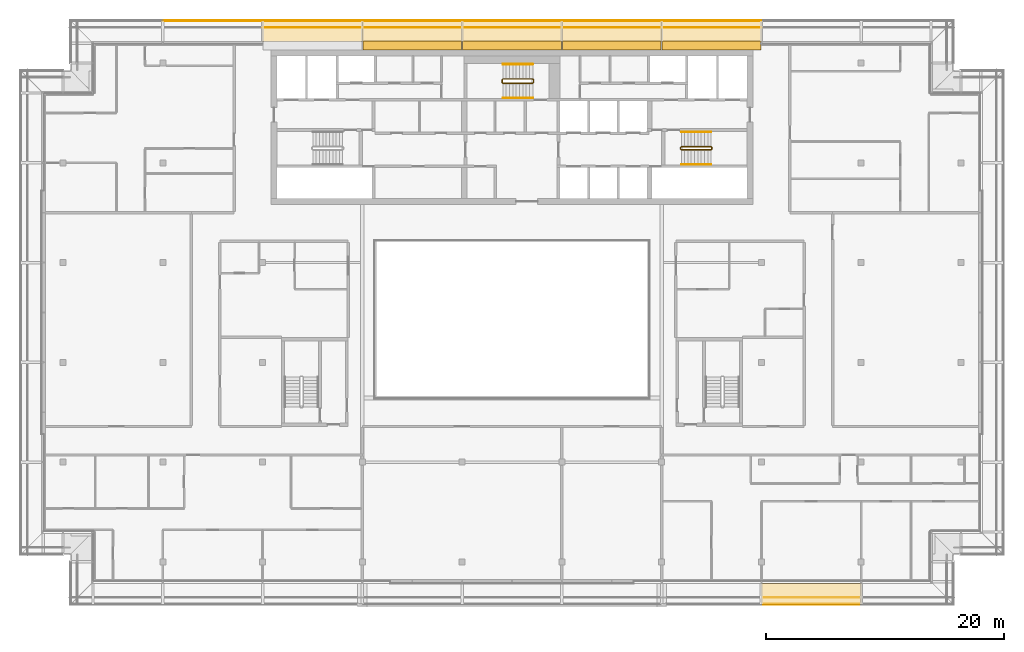
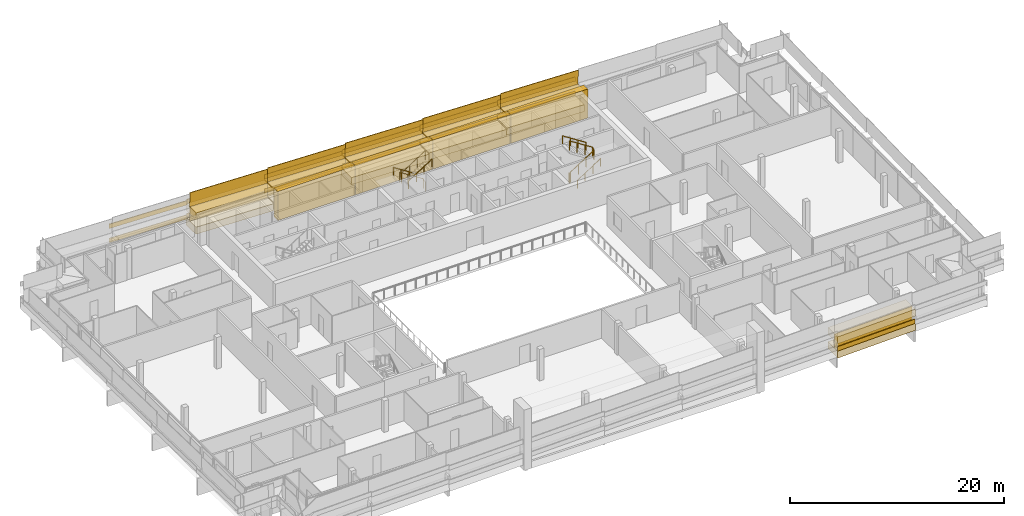
# One storey, part 28 of 33: 29 coverings, 17 railings.
"""IFC4 building model written with IfcOpenShell, lengths in metres."""

from ifc_helpers import new_model, si_unit, direction, frame, origin, origin_2d, place, context, subcontext, project, spatial, polyline, rectangle, circle, outline, extrude, material, layer, layer_set, type_object, element, save


model = new_model("IFC4")

# Units and contexts
model_context = context("Model", 3, precision=1e-05, world=origin(), true_north=direction((0.0, 1.0)))
body_context = subcontext(model_context, "Body", "Model", "MODEL_VIEW")
ifc_project = project(units=[si_unit("LENGTHUNIT", "METRE"), si_unit("AREAUNIT", "SQUARE_METRE"), si_unit("VOLUMEUNIT", "CUBIC_METRE"), si_unit("PLANEANGLEUNIT", "RADIAN"), si_unit("MASSUNIT", "GRAM", prefix="KILO")], contexts=[model_context])

# Site, building, storey
site_placement = place(None, origin())
site = spatial("IfcSite", under=ifc_project, at=site_placement, CompositionType="ELEMENT")
building_placement = place(site_placement, origin())
building = spatial("IfcBuilding", under=site, at=building_placement, Name="Saffron Gate Tower", CompositionType="ELEMENT")
storey_placement = place(building_placement, frame((0.0, 0.0, 263.550048828125)))
storey = spatial("IfcBuildingStorey", under=building, at=storey_placement, Name="L63", CompositionType="ELEMENT", Elevation=263.550048828125)

# Coverings
ifc_material_1 = material(Name="Ceramic-printed bronze insulated panel")
ifc_layer_1 = layer(ifc_material_1, 0.739990234375)
ifc_layer_set_1 = layer_set([ifc_layer_1], Name="CLD5 ceramic-printed cladding panel 740")
covering_type_1 = type_object("IfcCoveringType", Name="CLD5 ceramic-printed cladding panel 740", PredefinedType="CLADDING", material=ifc_layer_set_1)
covering_1_placement = place(storey_placement, origin())
element("IfcCovering", 1, at=covering_1_placement, inside=storey, type_object=covering_type_1, Name="CLADDING ceramic-printed panel", PredefinedType="CLADDING", context=body_context, shape_type="SweptSolid", body=[
    extrude(outline(polyline([(108.56494140625, 75.639892578125), (100.235107421875, 75.639892578125), (100.235107421875, 74.89990234375), (108.56494140625, 74.89990234375), (108.56494140625, 75.639892578125)])), origin(), (0.0, 0.0, 1.0), 3.320068359375),
])
covering_2_placement = place(storey_placement, origin())
element("IfcCovering", 2, at=covering_2_placement, inside=storey, type_object=covering_type_1, Name="CLADDING ceramic-printed panel", PredefinedType="CLADDING", context=body_context, shape_type="SweptSolid", body=[
    extrude(outline(polyline([(100.1650390625, 75.639892578125), (91.8349609375, 75.639892578125), (91.8349609375, 74.89990234375), (100.1650390625, 74.89990234375), (100.1650390625, 75.639892578125)])), origin(), (0.0, 0.0, 1.0), 3.320068359375),
])
covering_3_placement = place(storey_placement, origin())
element("IfcCovering", 3, at=covering_3_placement, inside=storey, type_object=covering_type_1, Name="CLADDING ceramic-printed panel", PredefinedType="CLADDING", context=body_context, shape_type="SweptSolid", body=[
    extrude(outline(polyline([(91.764892578125, 75.639892578125), (83.43505859375, 75.639892578125), (83.43505859375, 74.89990234375), (91.764892578125, 74.89990234375), (91.764892578125, 75.639892578125)])), origin(), (0.0, 0.0, 1.0), 3.320068359375),
])
covering_4_placement = place(storey_placement, origin())
element("IfcCovering", 4, at=covering_4_placement, inside=storey, type_object=covering_type_1, Name="CLADDING ceramic-printed panel", PredefinedType="CLADDING", context=body_context, shape_type="SweptSolid", body=[
    extrude(outline(polyline([(83.364990234375, 75.639892578125), (75.034912109375, 75.639892578125), (75.034912109375, 74.89990234375), (83.364990234375, 74.89990234375), (83.364990234375, 75.639892578125)])), origin(), (0.0, 0.0, 1.0), 3.320068359375),
])

# Railings
ifc_material_2 = material(Name="Stainless steel and laminated glass", Category="steel")
railing_type_1 = type_object("IfcRailingType", Name="CR1 Stair guard 1100", PredefinedType="GUARDRAIL", material=ifc_material_2)
railing_1_placement = place(storey_placement, frame((101.800048828125, 66.699951171875, 0.0)))
element("IfcRailing", 5, at=railing_1_placement, inside=storey, type_object=railing_type_1, Name="L63 ST-B stair guard 1", PredefinedType="GUARDRAIL", context=body_context, shape_type="SweptSolid", body=[
    extrude(circle(Radius=0.02392578125, at=origin_2d()), frame((0.0, 0.0, 1.076171875), z_axis=(0.0, -1.0, 0.0), x_axis=(1.0, 0.0, 0.0)), (0.0, 0.0, 1.0), 0.14990234375),
    extrude(circle(Radius=0.02392578125, at=origin_2d()), frame((0.0, -0.14990234375, 1.076171875), z_axis=(0.258847668887, -0.258847668887, 0.930588936439), x_axis=(0.707106781187, 0.707106781187, 0.0)), (0.0, 0.0, 1.0), 0.193359375),
    extrude(circle(Radius=0.02392578125, at=origin_2d()), frame((0.050048828125, -0.199951171875, 1.255859375), z_axis=(0.841162588446, 0.0, 0.540782303519), x_axis=(0.0, 1.0, 0.0)), (0.0, 0.0, 1.0), 2.995849609375),
    extrude(circle(Radius=0.02392578125, at=origin_2d()), frame((2.570068359375, -0.199951171875, 2.8759765625), z_axis=(0.705375805398, 0.708833529934, 0.0), x_axis=(-0.708833529934, 0.705375805398, 0.0)), (0.0, 0.0, 1.0), 0.070556640625),
    extrude(circle(Radius=0.02392578125, at=origin_2d()), frame((2.619873046875, -0.14990234375, 2.8759765625), z_axis=(0.0, 1.0, 0.0), x_axis=(-1.0, 0.0, 0.0)), (0.0, 0.0, 1.0), 0.14990234375),
    extrude(circle(Radius=0.02392578125, at=origin_2d()), frame((2.619873046875, 0.0, 2.8759765625), z_axis=(-0.257669022063, 0.258932105505, 0.930892496375), x_axis=(-0.708833529934, -0.705375805398, 0.0)), (0.0, 0.0, 1.0), 0.193359375),
    extrude(circle(Radius=0.02392578125, at=origin_2d()), frame((2.570068359375, 0.050048828125, 3.05615234375), z_axis=(-0.841199657755, 0.0, 0.540724639528), x_axis=(0.0, -1.0, 0.0)), (0.0, 0.0, 1.0), 2.995849609375),
    extrude(circle(Radius=0.02099609375, at=origin_2d()), origin(), (0.0, 0.0, 1.0), 1.052001953125),
    extrude(circle(Radius=0.02099609375, at=origin_2d()), frame((0.0, -0.14990234375, 0.0)), (0.0, 0.0, 1.0), 1.052001953125),
    extrude(circle(Radius=0.02099609375, at=origin_2d()), frame((0.050048828125, -0.199951171875, 0.179931640625)), (0.0, 0.0, 1.0), 1.052001953125),
    extrude(circle(Radius=0.02099609375, at=origin_2d()), frame((0.89013671875, -0.199951171875, 0.719970703125)), (0.0, 0.0, 1.0), 1.052001953125),
    extrude(circle(Radius=0.02099609375, at=origin_2d()), frame((1.72998046875, -0.199951171875, 1.260009765625)), (0.0, 0.0, 1.0), 1.052001953125),
    extrude(circle(Radius=0.02099609375, at=origin_2d()), frame((2.570068359375, -0.199951171875, 1.800048828125)), (0.0, 0.0, 1.0), 1.052001953125),
    extrude(circle(Radius=0.02099609375, at=origin_2d()), frame((2.619873046875, -0.14990234375, 1.800048828125)), (0.0, 0.0, 1.0), 1.052001953125),
    extrude(circle(Radius=0.02099609375, at=origin_2d()), frame((2.619873046875, 0.0, 1.800048828125)), (0.0, 0.0, 1.0), 1.052001953125),
    extrude(circle(Radius=0.02099609375, at=origin_2d()), frame((2.570068359375, 0.050048828125, 1.97998046875)), (0.0, 0.0, 1.0), 1.052001953125),
    extrude(circle(Radius=0.02099609375, at=origin_2d()), frame((1.72998046875, 0.050048828125, 2.52001953125)), (0.0, 0.0, 1.0), 1.052001953125),
    extrude(circle(Radius=0.02099609375, at=origin_2d()), frame((0.89013671875, 0.050048828125, 3.059814453125)), (0.0, 0.0, 1.0), 1.052001953125),
    extrude(circle(Radius=0.02099609375, at=origin_2d()), frame((0.050048828125, 0.050048828125, 3.599853515625)), (0.0, 0.0, 1.0), 1.052001953125),
])
railing_2_placement = place(storey_placement, frame((89.39990234375, 72.14990234375, 0.0)))
element("IfcRailing", 6, at=railing_2_placement, inside=storey, type_object=railing_type_1, Name="L63 ST-C stair guard 1", PredefinedType="GUARDRAIL", context=body_context, shape_type="SweptSolid", body=[
    extrude(circle(Radius=0.02392578125, at=origin_2d()), frame((0.0, 0.0, 1.076171875), z_axis=(0.0, 1.0, 0.0), x_axis=(-1.0, 0.0, 0.0)), (0.0, 0.0, 1.0), 0.25),
    extrude(circle(Radius=0.02392578125, at=origin_2d()), frame((0.0, 0.25, 1.076171875), z_axis=(-0.257669022063, 0.258932105505, 0.930892496375), x_axis=(-0.708833529934, -0.705375805398, 0.0)), (0.0, 0.0, 1.0), 0.193359375),
    extrude(circle(Radius=0.02392578125, at=origin_2d()), frame((-0.0498046875, 0.300048828125, 1.255859375), z_axis=(-0.841162588446, 0.0, 0.540782303519), x_axis=(0.0, -1.0, 0.0)), (0.0, 0.0, 1.0), 2.995849609375),
    extrude(circle(Radius=0.02392578125, at=origin_2d()), frame((-2.56982421875, 0.300048828125, 2.8759765625), z_axis=(-0.707106781187, -0.707106781187, 0.0), x_axis=(0.707106781187, -0.707106781187, 0.0)), (0.0, 0.0, 1.0), 0.07080078125),
    extrude(circle(Radius=0.02392578125, at=origin_2d()), frame((-2.619873046875, 0.25, 2.8759765625), z_axis=(0.0, -1.0, 0.0), x_axis=(1.0, 0.0, 0.0)), (0.0, 0.0, 1.0), 0.25),
    extrude(circle(Radius=0.02392578125, at=origin_2d()), frame((-2.619873046875, 0.0, 2.8759765625), z_axis=(0.258932105505, -0.257669022063, 0.930892496375), x_axis=(0.705375805398, 0.708833529934, 0.0)), (0.0, 0.0, 1.0), 0.193359375),
    extrude(circle(Radius=0.02392578125, at=origin_2d()), frame((-2.56982421875, -0.0498046875, 3.05615234375), z_axis=(0.841199657755, 0.0, 0.540724639528), x_axis=(0.0, 1.0, 0.0)), (0.0, 0.0, 1.0), 2.995849609375),
    extrude(circle(Radius=0.02099609375, at=origin_2d()), origin(), (0.0, 0.0, 1.0), 1.052001953125),
    extrude(circle(Radius=0.02099609375, at=origin_2d()), frame((0.0, 0.25, 0.0)), (0.0, 0.0, 1.0), 1.052001953125),
    extrude(circle(Radius=0.02099609375, at=origin_2d()), frame((-0.0498046875, 0.300048828125, 0.179931640625)), (0.0, 0.0, 1.0), 1.052001953125),
    extrude(circle(Radius=0.02099609375, at=origin_2d()), frame((-0.889892578125, 0.300048828125, 0.719970703125)), (0.0, 0.0, 1.0), 1.052001953125),
    extrude(circle(Radius=0.02099609375, at=origin_2d()), frame((-1.729736328125, 0.300048828125, 1.260009765625)), (0.0, 0.0, 1.0), 1.052001953125),
    extrude(circle(Radius=0.02099609375, at=origin_2d()), frame((-2.56982421875, 0.300048828125, 1.800048828125)), (0.0, 0.0, 1.0), 1.052001953125),
    extrude(circle(Radius=0.02099609375, at=origin_2d()), frame((-2.619873046875, 0.25, 1.800048828125)), (0.0, 0.0, 1.0), 1.052001953125),
    extrude(circle(Radius=0.02099609375, at=origin_2d()), frame((-2.619873046875, 0.0, 1.800048828125)), (0.0, 0.0, 1.0), 1.052001953125),
    extrude(circle(Radius=0.02099609375, at=origin_2d()), frame((-2.56982421875, -0.0498046875, 1.97998046875)), (0.0, 0.0, 1.0), 1.052001953125),
    extrude(circle(Radius=0.02099609375, at=origin_2d()), frame((-1.729736328125, -0.0498046875, 2.52001953125)), (0.0, 0.0, 1.0), 1.052001953125),
    extrude(circle(Radius=0.02099609375, at=origin_2d()), frame((-0.889892578125, -0.0498046875, 3.059814453125)), (0.0, 0.0, 1.0), 1.052001953125),
    extrude(circle(Radius=0.02099609375, at=origin_2d()), frame((-0.0498046875, -0.0498046875, 3.599853515625)), (0.0, 0.0, 1.0), 1.052001953125),
])
ifc_material_3 = material(Name="Stainless steel", Category="steel")
railing_type_2 = type_object("IfcRailingType", Name="CR2 Stair handrail 900", PredefinedType="HANDRAIL", material=ifc_material_3)
railing_3_placement = place(storey_placement, frame((101.85009765625, 65.25, 0.179931640625)))
element("IfcRailing", 7, at=railing_3_placement, inside=storey, type_object=railing_type_2, Name="L63 ST-B stair handrail 1", PredefinedType="HANDRAIL", context=body_context, shape_type="SweptSolid", body=[
    extrude(circle(Radius=0.02392578125, at=origin_2d()), frame((0.0, 0.0, 0.8759765625), z_axis=(0.841162588446, 0.0, 0.540782303519), x_axis=(0.0, 1.0, 0.0)), (0.0, 0.0, 1.0), 2.995849609375),
    extrude(circle(Radius=0.02099609375, at=origin_2d()), origin(), (0.0, 0.0, 1.0), 0.851806640625),
    extrude(circle(Radius=0.02099609375, at=origin_2d()), frame((0.840087890625, 0.0, 0.5400390625)), (0.0, 0.0, 1.0), 0.851806640625),
    extrude(circle(Radius=0.02099609375, at=origin_2d()), frame((1.679931640625, 0.0, 1.080078125)), (0.0, 0.0, 1.0), 0.851806640625),
    extrude(circle(Radius=0.02099609375, at=origin_2d()), frame((2.52001953125, 0.0, 1.6201171875)), (0.0, 0.0, 1.0), 0.851806640625),
])
railing_4_placement = place(storey_placement, frame((104.3701171875, 68.0, 1.97998046875)))
element("IfcRailing", 8, at=railing_4_placement, inside=storey, type_object=railing_type_2, Name="L63 ST-B stair handrail 2", PredefinedType="HANDRAIL", context=body_context, shape_type="SweptSolid", body=[
    extrude(circle(Radius=0.02392578125, at=origin_2d()), frame((0.0, 0.0, 0.8759765625), z_axis=(-0.841199657755, 0.0, 0.540724639528), x_axis=(0.0, -1.0, 0.0)), (0.0, 0.0, 1.0), 2.995849609375),
    extrude(circle(Radius=0.02099609375, at=origin_2d()), origin(), (0.0, 0.0, 1.0), 0.851806640625),
    extrude(circle(Radius=0.02099609375, at=origin_2d()), frame((-0.840087890625, 0.0, 0.5400390625)), (0.0, 0.0, 1.0), 0.851806640625),
    extrude(circle(Radius=0.02099609375, at=origin_2d()), frame((-1.679931640625, 0.0, 1.079833984375)), (0.0, 0.0, 1.0), 0.851806640625),
    extrude(circle(Radius=0.02099609375, at=origin_2d()), frame((-2.52001953125, 0.0, 1.619873046875)), (0.0, 0.0, 1.0), 0.851806640625),
])
railing_5_placement = place(storey_placement, frame((89.35009765625, 73.699951171875, 0.179931640625)))
element("IfcRailing", 9, at=railing_5_placement, inside=storey, type_object=railing_type_2, Name="L63 ST-C stair handrail 1", PredefinedType="HANDRAIL", context=body_context, shape_type="SweptSolid", body=[
    extrude(circle(Radius=0.02392578125, at=origin_2d()), frame((0.0, 0.0, 0.8759765625), z_axis=(-0.841162588446, 0.0, 0.540782303519), x_axis=(0.0, -1.0, 0.0)), (0.0, 0.0, 1.0), 2.995849609375),
    extrude(circle(Radius=0.02099609375, at=origin_2d()), origin(), (0.0, 0.0, 1.0), 0.851806640625),
    extrude(circle(Radius=0.02099609375, at=origin_2d()), frame((-0.840087890625, 0.0, 0.5400390625)), (0.0, 0.0, 1.0), 0.851806640625),
    extrude(circle(Radius=0.02099609375, at=origin_2d()), frame((-1.679931640625, 0.0, 1.080078125)), (0.0, 0.0, 1.0), 0.851806640625),
    extrude(circle(Radius=0.02099609375, at=origin_2d()), frame((-2.52001953125, 0.0, 1.6201171875)), (0.0, 0.0, 1.0), 0.851806640625),
])
railing_6_placement = place(storey_placement, frame((86.830078125, 70.85009765625, 1.97998046875)))
element("IfcRailing", 10, at=railing_6_placement, inside=storey, type_object=railing_type_2, Name="L63 ST-C stair handrail 2", PredefinedType="HANDRAIL", context=body_context, shape_type="SweptSolid", body=[
    extrude(circle(Radius=0.02392578125, at=origin_2d()), frame((0.0, 0.0, 0.8759765625), z_axis=(0.841199657755, 0.0, 0.540724639528), x_axis=(0.0, 1.0, 0.0)), (0.0, 0.0, 1.0), 2.995849609375),
    extrude(circle(Radius=0.02099609375, at=origin_2d()), origin(), (0.0, 0.0, 1.0), 0.851806640625),
    extrude(circle(Radius=0.02099609375, at=origin_2d()), frame((0.840087890625, 0.0, 0.5400390625)), (0.0, 0.0, 1.0), 0.851806640625),
    extrude(circle(Radius=0.02099609375, at=origin_2d()), frame((1.679931640625, 0.0, 1.079833984375)), (0.0, 0.0, 1.0), 0.851806640625),
    extrude(circle(Radius=0.02099609375, at=origin_2d()), frame((2.52001953125, 0.0, 1.619873046875)), (0.0, 0.0, 1.0), 0.851806640625),
])

# Coverings
ifc_material_4 = material(Name="Timber, thermally modified ash", Category="wood")
ifc_layer_2 = layer(ifc_material_4, 0.800048828125)
ifc_layer_set_2 = layer_set([ifc_layer_2], Name="LD1 ledge timber")
covering_type_2 = type_object("IfcCoveringType", Name="LD1 ledge timber", PredefinedType="CLADDING", material=ifc_layer_set_2)
covering_5_placement = place(storey_placement, frame((108.60009765625, 30.0, 1.63623046875), z_axis=(-0.028791175352, 0.0, 0.999585448184), x_axis=(0.999585448184, 0.0, 0.028791175352)))
element("IfcCovering", 11, at=covering_5_placement, inside=storey, type_object=covering_type_2, Name="LEDGE", PredefinedType="CLADDING", context=body_context, shape_type="SweptSolid", body=[
    extrude(outline(polyline([(0.0, 0.0), (8.403385982666892, 0.0), (8.403385982666892, -1.800048828125), (0.0, -1.800048828125), (0.0, 0.0)])), origin(), (0.0, 0.0, -1.0), 0.800048828125),
])
covering_6_placement = place(storey_placement, frame((108.60009765625, 75.60009765625, 2.717041015625), z_axis=(0.028790339263, 0.0, 0.999585472266), x_axis=(-0.999585472266, 0.0, 0.028790339263)))
element("IfcCovering", 12, at=covering_6_placement, inside=storey, type_object=covering_type_2, Name="LEDGE", PredefinedType="CLADDING", context=body_context, shape_type="SweptSolid", body=[
    extrude(outline(polyline([(0.0, 0.0), (8.403630022085892, 0.0), (8.403630022085892, -1.7998046875), (0.0, -1.7998046875), (0.0, 0.0)])), origin(), (0.0, 0.0, -1.0), 0.800048828125),
])
covering_7_placement = place(storey_placement, frame((100.199951171875, 75.60009765625, 2.82666015625), z_axis=(0.028791175352, 0.0, 0.999585448184), x_axis=(-0.999585448184, 0.0, 0.028791175352)))
element("IfcCovering", 13, at=covering_7_placement, inside=storey, type_object=covering_type_2, Name="LEDGE", PredefinedType="CLADDING", context=body_context, shape_type="SweptSolid", body=[
    extrude(outline(polyline([(0.0, 0.0), (8.403385982666892, 0.0), (8.403385982666892, -1.7998046875), (0.0, -1.7998046875), (0.0, 0.0)])), origin(), (0.0, 0.0, -1.0), 0.800048828125),
])
covering_8_placement = place(storey_placement, frame((91.800048828125, 75.60009765625, 2.936279296875), z_axis=(0.028790339263, 0.0, 0.999585472266), x_axis=(-0.999585472266, 0.0, 0.028790339263)))
element("IfcCovering", 14, at=covering_8_placement, inside=storey, type_object=covering_type_2, Name="LEDGE", PredefinedType="CLADDING", context=body_context, shape_type="SweptSolid", body=[
    extrude(outline(polyline([(0.0, 0.0), (8.403630022085892, 0.0), (8.403630022085892, -1.7998046875), (0.0, -1.7998046875), (0.0, 0.0)])), origin(), (0.0, 0.0, -1.0), 0.800048828125),
])
for number, where, z_axis, x_axis, name in (
    (15, (83.39990234375, 75.60009765625, 3.0458984375), (0.028791175352, 0.0, 0.999585448184), (-0.999585448184, 0.0, 0.028791175352), "LEDGE"),
    (16, (75.0, 75.60009765625, 3.155517578125), (0.028791175352, 0.0, 0.999585448184), (-0.999585448184, 0.0, 0.028791175352), "LEDGE"),
):
    element("IfcCovering", number, at=place(storey_placement, frame(where, z_axis=z_axis, x_axis=x_axis)), inside=storey, type_object=covering_type_2, Name=name, PredefinedType="CLADDING", context=body_context, shape_type="SweptSolid", body=[
        extrude(outline(polyline([(0.0, 0.0), (8.403385982666892, 0.0), (8.403385982666892, -1.7998046875), (0.0, -1.7998046875), (0.0, 0.0)])), origin(), (0.0, 0.0, -1.0), 0.800048828125),
    ])
covering_9_placement = place(storey_placement, frame((108.60009765625, 75.60009765625, 1.087890625), z_axis=(0.028790339263, 0.0, 0.999585472266), x_axis=(-0.999585472266, 0.0, 0.028790339263)))
element("IfcCovering", 17, at=covering_9_placement, inside=storey, type_object=covering_type_2, Name="LEDGE", PredefinedType="CLADDING", context=body_context, shape_type="SweptSolid", body=[
    extrude(outline(polyline([(0.0, 0.0), (8.403630022085892, 0.0), (8.403630022085892, -1.7998046875), (0.0, -1.7998046875), (0.0, 0.0)])), origin(), (0.0, 0.0, -1.0), 0.800048828125),
])
covering_10_placement = place(storey_placement, frame((100.199951171875, 75.60009765625, 1.197509765625), z_axis=(0.028791175352, 0.0, 0.999585448184), x_axis=(-0.999585448184, 0.0, 0.028791175352)))
element("IfcCovering", 18, at=covering_10_placement, inside=storey, type_object=covering_type_2, Name="LEDGE", PredefinedType="CLADDING", context=body_context, shape_type="SweptSolid", body=[
    extrude(outline(polyline([(0.0, 0.0), (8.403385982666892, 0.0), (8.403385982666892, -1.7998046875), (0.0, -1.7998046875), (0.0, 0.0)])), origin(), (0.0, 0.0, -1.0), 0.800048828125),
])
covering_11_placement = place(storey_placement, frame((91.800048828125, 75.60009765625, 1.30712890625), z_axis=(0.028790339263, 0.0, 0.999585472266), x_axis=(-0.999585472266, 0.0, 0.028790339263)))
element("IfcCovering", 19, at=covering_11_placement, inside=storey, type_object=covering_type_2, Name="LEDGE", PredefinedType="CLADDING", context=body_context, shape_type="SweptSolid", body=[
    extrude(outline(polyline([(0.0, 0.0), (8.403630022085892, 0.0), (8.403630022085892, -1.7998046875), (0.0, -1.7998046875), (0.0, 0.0)])), origin(), (0.0, 0.0, -1.0), 0.800048828125),
])
covering_12_placement = place(storey_placement, frame((83.39990234375, 75.60009765625, 1.416748046875), z_axis=(0.028820203882, 0.0, 0.99958461165), x_axis=(-0.99958461165, 0.0, 0.028820203882)))
element("IfcCovering", 20, at=covering_12_placement, inside=storey, type_object=covering_type_2, Name="LEDGE", PredefinedType="CLADDING", context=body_context, shape_type="SweptSolid", body=[
    extrude(outline(polyline([(0.0, 0.0), (8.40339301530596, 0.0), (8.40339301530596, -1.7998046875), (0.0, -1.7998046875), (0.0, 0.0)])), origin(), (0.0, 0.0, -1.0), 0.800048828125),
])
covering_13_placement = place(storey_placement, frame((75.0, 75.60009765625, 1.526611328125), z_axis=(0.028791175352, 0.0, 0.999585448184), x_axis=(-0.999585448184, 0.0, 0.028791175352)))
element("IfcCovering", 21, at=covering_13_placement, inside=storey, type_object=covering_type_2, Name="LEDGE", PredefinedType="CLADDING", context=body_context, shape_type="SweptSolid", body=[
    extrude(outline(polyline([(0.0, 0.0), (8.403385982666892, 0.0), (8.403385982666892, -1.7998046875), (0.0, -1.7998046875), (0.0, 0.0)])), origin(), (0.0, 0.0, -1.0), 0.800048828125),
])
covering_14_placement = place(storey_placement, frame((108.60009765625, 30.0, 3.26513671875), z_axis=(-0.028791175352, 0.0, 0.999585448184), x_axis=(0.999585448184, 0.0, 0.028791175352)))
element("IfcCovering", 22, at=covering_14_placement, inside=storey, type_object=covering_type_2, Name="LEDGE", PredefinedType="CLADDING", context=body_context, shape_type="SweptSolid", body=[
    extrude(outline(polyline([(0.0, 0.0), (8.403385982666892, 0.0), (8.403385982666892, -1.800048828125), (0.0, -1.800048828125), (0.0, 0.0)])), origin(), (0.0, 0.0, -1.0), 0.800048828125),
])
ifc_layer_3 = layer(ifc_material_4, 0.080078125)
ifc_layer_set_3 = layer_set([ifc_layer_3], Name="LD2 ledge planter trough")
covering_type_3 = type_object("IfcCoveringType", Name="LD2 ledge planter trough", PredefinedType="CLADDING", material=ifc_layer_set_3)
covering_15_placement = place(storey_placement, frame((108.60009765625, 28.199951171875, 1.63623046875), z_axis=(0.0, -1.0, 0.0), x_axis=(0.999585448184, 0.0, 0.028791175352)))
element("IfcCovering", 23, at=covering_15_placement, inside=storey, type_object=covering_type_3, Name="LEDGE planter trough", PredefinedType="CLADDING", context=body_context, shape_type="SweptSolid", body=[
    extrude(outline(polyline([(0.0, 0.0), (8.403385982666892, 0.0), (8.417781570342743, 0.49979272409216496), (0.014395587675851172, 0.4997927240921649), (0.0, 0.0)])), origin(), (0.0, 0.0, -1.0), 0.080078125),
])
covering_16_placement = place(storey_placement, frame((108.60009765625, 77.39990234375, 2.717041015625), z_axis=(0.0, 1.0, 0.0), x_axis=(-0.999585472266, 0.0, 0.028790339263)))
element("IfcCovering", 24, at=covering_16_placement, inside=storey, type_object=covering_type_3, Name="LEDGE planter trough", PredefinedType="CLADDING", context=body_context, shape_type="SweptSolid", body=[
    extrude(outline(polyline([(0.0, 0.0), (8.403630022085892, 0.0), (8.418025191717298, 0.4997927361329725), (0.014395169631405694, 0.4997927361329725), (0.0, 0.0)])), origin(), (0.0, 0.0, -1.0), 0.080078125),
])
covering_17_placement = place(storey_placement, frame((100.199951171875, 77.39990234375, 2.82666015625), z_axis=(0.0, 1.0, 0.0), x_axis=(-0.999585448184, 0.0, 0.028791175352)))
element("IfcCovering", 25, at=covering_17_placement, inside=storey, type_object=covering_type_3, Name="LEDGE planter trough", PredefinedType="CLADDING", context=body_context, shape_type="SweptSolid", body=[
    extrude(outline(polyline([(0.0, 0.0), (8.403385982666892, 0.0), (8.417781570342743, 0.49979272409216496), (0.014395587675851172, 0.4997927240921649), (0.0, 0.0)])), origin(), (0.0, 0.0, -1.0), 0.080078125),
])
covering_18_placement = place(storey_placement, frame((91.800048828125, 77.39990234375, 2.936279296875), z_axis=(0.0, 1.0, 0.0), x_axis=(-0.999585472266, 0.0, 0.028790339263)))
element("IfcCovering", 26, at=covering_18_placement, inside=storey, type_object=covering_type_3, Name="LEDGE planter trough", PredefinedType="CLADDING", context=body_context, shape_type="SweptSolid", body=[
    extrude(outline(polyline([(0.0, 0.0), (8.403630022085892, 0.0), (8.418025191717298, 0.4997927361329725), (0.014395169631405694, 0.4997927361329725), (0.0, 0.0)])), origin(), (0.0, 0.0, -1.0), 0.080078125),
])
for number, where, z_axis, x_axis, name in (
    (27, (83.39990234375, 77.39990234375, 3.0458984375), (0.0, 1.0, 0.0), (-0.999585448184, 0.0, 0.028791175352), "LEDGE planter trough"),
    (28, (75.0, 77.39990234375, 3.155517578125), (0.0, 1.0, 0.0), (-0.999585448184, 0.0, 0.028791175352), "LEDGE planter trough"),
):
    element("IfcCovering", number, at=place(storey_placement, frame(where, z_axis=z_axis, x_axis=x_axis)), inside=storey, type_object=covering_type_3, Name=name, PredefinedType="CLADDING", context=body_context, shape_type="SweptSolid", body=[
        extrude(outline(polyline([(0.0, 0.0), (8.403385982666892, 0.0), (8.417781570342743, 0.49979272409216496), (0.014395587675851172, 0.4997927240921649), (0.0, 0.0)])), origin(), (0.0, 0.0, -1.0), 0.080078125),
    ])
for number, where, z_axis, x_axis, name in (
    (29, (66.60009765625, 77.39990234375, 3.26513671875), (0.0, 1.0, 0.0), (-0.999585472266, 0.0, 0.028790339263), "LEDGE planter trough"),
    (30, (108.60009765625, 77.39990234375, 1.087890625), (0.0, 1.0, 0.0), (-0.999585472266, 0.0, 0.028790339263), "LEDGE planter trough"),
):
    element("IfcCovering", number, at=place(storey_placement, frame(where, z_axis=z_axis, x_axis=x_axis)), inside=storey, type_object=covering_type_3, Name=name, PredefinedType="CLADDING", context=body_context, shape_type="SweptSolid", body=[
        extrude(outline(polyline([(0.0, 0.0), (8.403630022085892, 0.0), (8.418025191717298, 0.4997927361329725), (0.014395169631405694, 0.4997927361329725), (0.0, 0.0)])), origin(), (0.0, 0.0, -1.0), 0.080078125),
    ])
covering_19_placement = place(storey_placement, frame((100.199951171875, 77.39990234375, 1.197509765625), z_axis=(0.0, 1.0, 0.0), x_axis=(-0.999585448184, 0.0, 0.028791175352)))
element("IfcCovering", 31, at=covering_19_placement, inside=storey, type_object=covering_type_3, Name="LEDGE planter trough", PredefinedType="CLADDING", context=body_context, shape_type="SweptSolid", body=[
    extrude(outline(polyline([(0.0, 0.0), (8.403385982666892, 0.0), (8.417781570342743, 0.49979272409216496), (0.014395587675851172, 0.4997927240921649), (0.0, 0.0)])), origin(), (0.0, 0.0, -1.0), 0.080078125),
])
covering_20_placement = place(storey_placement, frame((91.800048828125, 77.39990234375, 1.30712890625), z_axis=(0.0, 1.0, 0.0), x_axis=(-0.999585472266, 0.0, 0.028790339263)))
element("IfcCovering", 32, at=covering_20_placement, inside=storey, type_object=covering_type_3, Name="LEDGE planter trough", PredefinedType="CLADDING", context=body_context, shape_type="SweptSolid", body=[
    extrude(outline(polyline([(0.0, 0.0), (8.403630022085892, 0.0), (8.418025191717298, 0.4997927361329725), (0.014395169631405694, 0.4997927361329725), (0.0, 0.0)])), origin(), (0.0, 0.0, -1.0), 0.080078125),
])
covering_21_placement = place(storey_placement, frame((83.39990234375, 77.39990234375, 1.416748046875), z_axis=(0.0, 1.0, 0.0), x_axis=(-0.99958461165, 0.0, 0.028820203882)))
element("IfcCovering", 33, at=covering_21_placement, inside=storey, type_object=covering_type_3, Name="LEDGE planter trough", PredefinedType="CLADDING", context=body_context, shape_type="SweptSolid", body=[
    extrude(outline(polyline([(0.0, 0.0), (8.40339301530596, 0.0), (8.41780311724686, 0.49979230582518264), (0.014410101940899296, 0.49979230582518264), (0.0, 0.0)])), origin(), (0.0, 0.0, -1.0), 0.080078125),
])
covering_22_placement = place(storey_placement, frame((75.0, 77.39990234375, 1.526611328125), z_axis=(0.0, 1.0, 0.0), x_axis=(-0.999585448184, 0.0, 0.028791175352)))
element("IfcCovering", 34, at=covering_22_placement, inside=storey, type_object=covering_type_3, Name="LEDGE planter trough", PredefinedType="CLADDING", context=body_context, shape_type="SweptSolid", body=[
    extrude(outline(polyline([(0.0, 0.0), (8.403385982666892, 0.0), (8.417781570342743, 0.49979272409216496), (0.014395587675851172, 0.4997927240921649), (0.0, 0.0)])), origin(), (0.0, 0.0, -1.0), 0.080078125),
])
covering_23_placement = place(storey_placement, frame((66.60009765625, 77.39990234375, 1.63623046875), z_axis=(0.0, 1.0, 0.0), x_axis=(-0.999585472266, 0.0, 0.028790339263)))
element("IfcCovering", 35, at=covering_23_placement, inside=storey, type_object=covering_type_3, Name="LEDGE planter trough", PredefinedType="CLADDING", context=body_context, shape_type="SweptSolid", body=[
    extrude(outline(polyline([(0.0, 0.0), (8.403630022085892, 0.0), (8.418025191717298, 0.4997927361329725), (0.014395169631405694, 0.4997927361329725), (0.0, 0.0)])), origin(), (0.0, 0.0, -1.0), 0.080078125),
])

# Railings
railing_type_3 = type_object("IfcRailingType", Name="LG1 ledge balustrade", PredefinedType="BALUSTRADE", material=ifc_material_4)
railing_7_placement = place(storey_placement, frame((108.60009765625, 28.800048828125, 1.63623046875)))
element("IfcRailing", 36, at=railing_7_placement, inside=storey, type_object=railing_type_3, Name="LEDGE BALUSTRADE", PredefinedType="BALUSTRADE", context=body_context, shape_type="SweptSolid", body=[
    extrude(rectangle(XDim=0.06005859375, YDim=1.60009765625, at=origin_2d()), frame((0.0, 0.0, 0.800048828125), z_axis=(0.999585448184, 0.0, 0.028791175352), x_axis=(0.0, 1.0, 0.0)), (0.0, 0.0, 1.0), 8.4033203125),
])
railing_8_placement = place(storey_placement, frame((108.60009765625, 76.800048828125, 2.717041015625)))
element("IfcRailing", 37, at=railing_8_placement, inside=storey, type_object=railing_type_3, Name="LEDGE BALUSTRADE", PredefinedType="BALUSTRADE", context=body_context, shape_type="SweptSolid", body=[
    extrude(rectangle(XDim=0.06005859375, YDim=1.60009765625, at=origin_2d()), frame((0.0, 0.0, 0.800048828125), z_axis=(-0.999585472266, 0.0, 0.028790339263), x_axis=(0.0, -1.0, 0.0)), (0.0, 0.0, 1.0), 8.403564453125),
])
railing_9_placement = place(storey_placement, frame((100.199951171875, 76.800048828125, 2.82666015625)))
element("IfcRailing", 38, at=railing_9_placement, inside=storey, type_object=railing_type_3, Name="LEDGE BALUSTRADE", PredefinedType="BALUSTRADE", context=body_context, shape_type="SweptSolid", body=[
    extrude(rectangle(XDim=0.06005859375, YDim=1.60009765625, at=origin_2d()), frame((0.0, 0.0, 0.800048828125), z_axis=(-0.999585448184, 0.0, 0.028791175352), x_axis=(0.0, -1.0, 0.0)), (0.0, 0.0, 1.0), 8.4033203125),
])
railing_10_placement = place(storey_placement, frame((91.800048828125, 76.800048828125, 2.936279296875)))
element("IfcRailing", 39, at=railing_10_placement, inside=storey, type_object=railing_type_3, Name="LEDGE BALUSTRADE", PredefinedType="BALUSTRADE", context=body_context, shape_type="SweptSolid", body=[
    extrude(rectangle(XDim=0.06005859375, YDim=1.60009765625, at=origin_2d()), frame((0.0, 0.0, 0.800048828125), z_axis=(-0.999585472266, 0.0, 0.028790339263), x_axis=(0.0, -1.0, 0.0)), (0.0, 0.0, 1.0), 8.403564453125),
])
for number, where, name in (
    (40, (83.39990234375, 76.800048828125, 3.0458984375), "LEDGE BALUSTRADE"),
    (41, (75.0, 76.800048828125, 3.155517578125), "LEDGE BALUSTRADE"),
):
    element("IfcRailing", number, at=place(storey_placement, frame(where)), inside=storey, type_object=railing_type_3, Name=name, PredefinedType="BALUSTRADE", context=body_context, shape_type="SweptSolid", body=[
        extrude(rectangle(XDim=0.06005859375, YDim=1.60009765625, at=origin_2d()), frame((0.0, 0.0, 0.800048828125), z_axis=(-0.999585448184, 0.0, 0.028791175352), x_axis=(0.0, -1.0, 0.0)), (0.0, 0.0, 1.0), 8.4033203125),
    ])
railing_11_placement = place(storey_placement, frame((108.60009765625, 76.800048828125, 1.087890625)))
element("IfcRailing", 42, at=railing_11_placement, inside=storey, type_object=railing_type_3, Name="LEDGE BALUSTRADE", PredefinedType="BALUSTRADE", context=body_context, shape_type="SweptSolid", body=[
    extrude(rectangle(XDim=0.06005859375, YDim=1.60009765625, at=origin_2d()), frame((0.0, 0.0, 0.800048828125), z_axis=(-0.999585472266, 0.0, 0.028790339263), x_axis=(0.0, -1.0, 0.0)), (0.0, 0.0, 1.0), 8.403564453125),
])
railing_12_placement = place(storey_placement, frame((100.199951171875, 76.800048828125, 1.197509765625)))
element("IfcRailing", 43, at=railing_12_placement, inside=storey, type_object=railing_type_3, Name="LEDGE BALUSTRADE", PredefinedType="BALUSTRADE", context=body_context, shape_type="SweptSolid", body=[
    extrude(rectangle(XDim=0.06005859375, YDim=1.60009765625, at=origin_2d()), frame((0.0, 0.0, 0.800048828125), z_axis=(-0.999585448184, 0.0, 0.028791175352), x_axis=(0.0, -1.0, 0.0)), (0.0, 0.0, 1.0), 8.4033203125),
])
railing_13_placement = place(storey_placement, frame((91.800048828125, 76.800048828125, 1.30712890625)))
element("IfcRailing", 44, at=railing_13_placement, inside=storey, type_object=railing_type_3, Name="LEDGE BALUSTRADE", PredefinedType="BALUSTRADE", context=body_context, shape_type="SweptSolid", body=[
    extrude(rectangle(XDim=0.06005859375, YDim=1.60009765625, at=origin_2d()), frame((0.0, 0.0, 0.800048828125), z_axis=(-0.999585472266, 0.0, 0.028790339263), x_axis=(0.0, -1.0, 0.0)), (0.0, 0.0, 1.0), 8.403564453125),
])
railing_14_placement = place(storey_placement, frame((83.39990234375, 76.800048828125, 1.416748046875)))
element("IfcRailing", 45, at=railing_14_placement, inside=storey, type_object=railing_type_3, Name="LEDGE BALUSTRADE", PredefinedType="BALUSTRADE", context=body_context, shape_type="SweptSolid", body=[
    extrude(rectangle(XDim=0.06005859375, YDim=1.60009765625, at=origin_2d()), frame((0.0, 0.0, 0.800048828125), z_axis=(-0.99958461165, 0.0, 0.028820203882), x_axis=(0.0, -1.0, 0.0)), (0.0, 0.0, 1.0), 8.4033203125),
])
railing_15_placement = place(storey_placement, frame((75.0, 76.800048828125, 1.526611328125)))
element("IfcRailing", 46, at=railing_15_placement, inside=storey, type_object=railing_type_3, Name="LEDGE BALUSTRADE", PredefinedType="BALUSTRADE", context=body_context, shape_type="SweptSolid", body=[
    extrude(rectangle(XDim=0.06005859375, YDim=1.60009765625, at=origin_2d()), frame((0.0, 0.0, 0.800048828125), z_axis=(-0.999585448184, 0.0, 0.028791175352), x_axis=(0.0, -1.0, 0.0)), (0.0, 0.0, 1.0), 8.4033203125),
])

save(model, "model.ifc")
